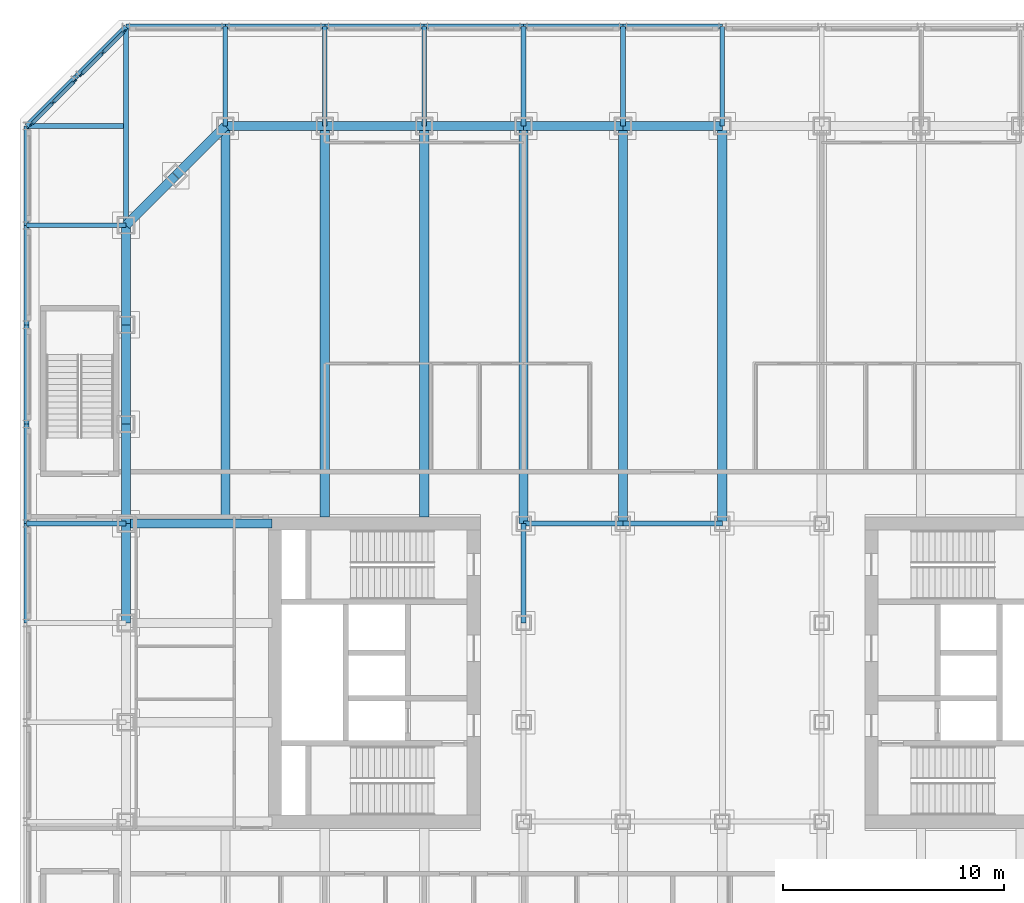
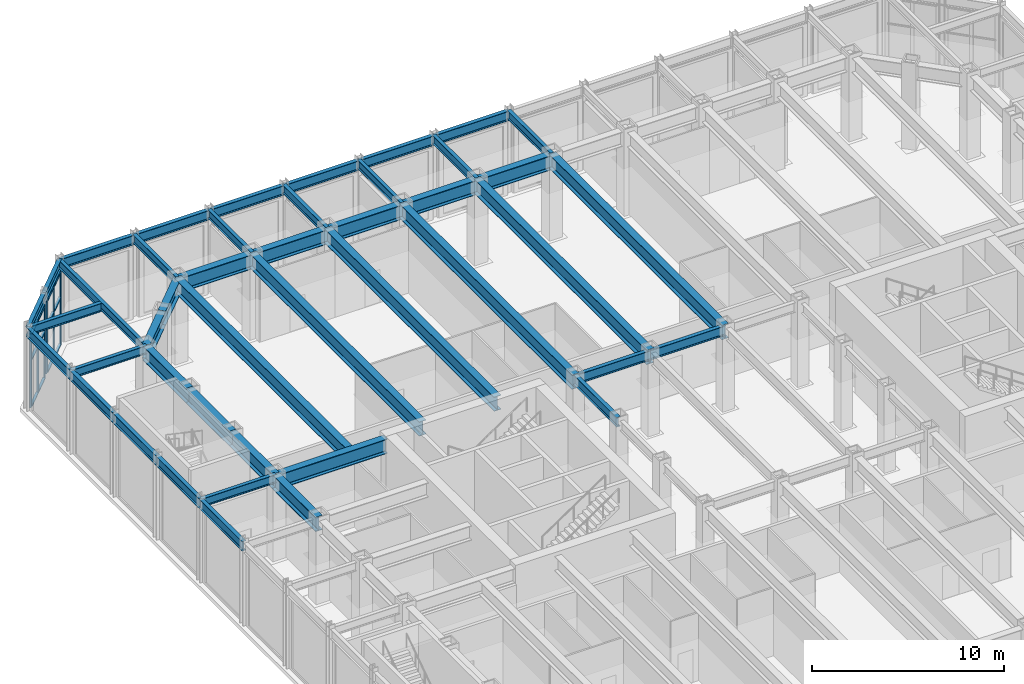
# One storey, part 7 of 19: 44 beams, 18 members, 2 elements without a shape of their own.
"""IFC4 building model written with IfcOpenShell, lengths in metres."""

from ifc_helpers import new_model, si_unit, direction, frame, origin, origin_2d, place, context, subcontext, project, spatial, rectangle, i_section, extrude, material, material_profile, profile_set, type_object, element, aggregate, save


model = new_model("IFC4")

# Units and contexts
model_context = context("Model", 3, precision=1e-05, world=origin(), true_north=direction((0.0, 1.0)))
body_context = subcontext(model_context, "Body", "Model", "MODEL_VIEW")
ifc_project = project(units=[si_unit("LENGTHUNIT", "METRE"), si_unit("AREAUNIT", "SQUARE_METRE"), si_unit("VOLUMEUNIT", "CUBIC_METRE"), si_unit("PLANEANGLEUNIT", "RADIAN"), si_unit("MASSUNIT", "GRAM", prefix="KILO")], contexts=[model_context])

# Site, building, storey
site_placement = place(None, origin())
site = spatial("IfcSite", under=ifc_project, at=site_placement, CompositionType="ELEMENT")
building_placement = place(site_placement, origin())
building = spatial("IfcBuilding", under=site, at=building_placement, Name="Msasa Ring Tower", CompositionType="ELEMENT")
storey_placement = place(building_placement, frame((0.0, 0.0, 16.0)))
storey = spatial("IfcBuildingStorey", under=building, at=storey_placement, Name="L03", CompositionType="ELEMENT", Elevation=16.0)

# Curtain wall, members
ifc_material_1 = material(Name="Aluminium curtain wall with clear glass", Category="aluminium")
curtain_wall_type = type_object("IfcCurtainWallType", Name="CW-K PODIUM CORNER CURTAIN WALL", PredefinedType="NOTDEFINED", material=ifc_material_1)
curtain_wall_1_placement = place(storey_placement, origin())
curtain_wall_1 = element("IfcCurtainWall", 1, at=curtain_wall_1_placement, inside=storey, type_object=curtain_wall_type, Name="Podium corner curtain wall NW L03", PredefinedType="NOTDEFINED")
ifc_material_2 = material(Name="Aluminium mullion", Category="aluminium")
ifc_material_profile_1 = material_profile(ifc_material_2, rectangle(XDim=0.070068359375, YDim=0.199951171875, at=origin_2d()), Name="AL 70x200")
ifc_profile_set_1 = profile_set([ifc_material_profile_1], Name="Aluminium mullion")
member_type_1 = type_object("IfcMemberType", Name="CW-K MULLION 70x200", PredefinedType="MULLION", material=ifc_profile_set_1)
member_1_placement = place(storey_placement, frame((-27.086669921875, 26.77197265625, 0.0), z_axis=(0.0, 0.0, 1.0), x_axis=(0.707106781187, -0.707106781187, 0.0)))
member_1 = element("IfcMember", 2, at=member_1_placement, type_object=member_type_1, Name="CW-K mullion 1", PredefinedType="MULLION", context=body_context, shape_type="SweptSolid", body=[
    extrude(rectangle(XDim=0.070068359375, YDim=0.199951171875, at=origin_2d()), origin(), (0.0, 0.0, 1.0), 4.6328125),
])
member_2_placement = place(storey_placement, frame((-28.05419921875, 25.80419921875, 0.0), z_axis=(0.0, 0.0, 1.0), x_axis=(0.707106781187, -0.707106781187, 0.0)))
member_2 = element("IfcMember", 3, at=member_2_placement, type_object=member_type_1, Name="CW-K mullion 2", PredefinedType="MULLION", context=body_context, shape_type="SweptSolid", body=[
    extrude(rectangle(XDim=0.070068359375, YDim=0.199951171875, at=origin_2d()), origin(), (0.0, 0.0, 1.0), 4.6328125),
])
member_3_placement = place(storey_placement, frame((-29.02197265625, 24.836669921875, 0.0), z_axis=(0.0, 0.0, 1.0), x_axis=(0.707106781187, -0.707106781187, 0.0)))
member_3 = element("IfcMember", 4, at=member_3_placement, type_object=member_type_1, Name="CW-K mullion 3", PredefinedType="MULLION", context=body_context, shape_type="SweptSolid", body=[
    extrude(rectangle(XDim=0.070068359375, YDim=0.199951171875, at=origin_2d()), origin(), (0.0, 0.0, 1.0), 4.6328125),
])

curtain_wall_2_placement = place(storey_placement, origin())
curtain_wall_2 = element("IfcCurtainWall", 5, at=curtain_wall_2_placement, inside=storey, type_object=curtain_wall_type, Name="Podium corner curtain wall NW L03", PredefinedType="NOTDEFINED")
member_4_placement = place(storey_placement, frame((-24.836669921875, 29.02197265625, 0.0), z_axis=(0.0, 0.0, 1.0), x_axis=(0.707106781187, -0.707106781187, 0.0)))
member_4 = element("IfcMember", 6, at=member_4_placement, type_object=member_type_1, Name="CW-K mullion 1", PredefinedType="MULLION", context=body_context, shape_type="SweptSolid", body=[
    extrude(rectangle(XDim=0.070068359375, YDim=0.199951171875, at=origin_2d()), origin(), (0.0, 0.0, 1.0), 4.6328125),
])
member_5_placement = place(storey_placement, frame((-25.80419921875, 28.05419921875, 0.0), z_axis=(0.0, 0.0, 1.0), x_axis=(0.707106781187, -0.707106781187, 0.0)))
member_5 = element("IfcMember", 7, at=member_5_placement, type_object=member_type_1, Name="CW-K mullion 2", PredefinedType="MULLION", context=body_context, shape_type="SweptSolid", body=[
    extrude(rectangle(XDim=0.070068359375, YDim=0.199951171875, at=origin_2d()), origin(), (0.0, 0.0, 1.0), 4.6328125),
])
member_6_placement = place(storey_placement, frame((-26.77197265625, 27.086669921875, 0.0), z_axis=(0.0, 0.0, 1.0), x_axis=(0.707106781187, -0.707106781187, 0.0)))
member_6 = element("IfcMember", 8, at=member_6_placement, type_object=member_type_1, Name="CW-K mullion 3", PredefinedType="MULLION", context=body_context, shape_type="SweptSolid", body=[
    extrude(rectangle(XDim=0.070068359375, YDim=0.199951171875, at=origin_2d()), origin(), (0.0, 0.0, 1.0), 4.6328125),
])

# Member
ifc_material_3 = material(Name="Aluminium transom", Category="aluminium")
ifc_material_profile_2 = material_profile(ifc_material_3, rectangle(XDim=0.14990234375, YDim=0.070068359375, at=origin_2d()), Name="AL 70x150")
ifc_profile_set_2 = profile_set([ifc_material_profile_2], Name="Aluminium transom")
member_type_2 = type_object("IfcMemberType", Name="CW-K TRANSOM 70x150", PredefinedType="USERDEFINED", material=ifc_profile_set_2)
member_7_placement = place(storey_placement, frame((-27.111572265625, 26.7470703125, 0.034912109375), z_axis=(-0.707106781187, -0.707106781187, 0.0), x_axis=(0.707106781187, -0.707106781187, 0.0)))
member_7 = element("IfcMember", 9, at=member_7_placement, type_object=member_type_2, Name="CW-K transom 1.1", ObjectType="TRANSOM", PredefinedType="USERDEFINED", context=body_context, shape_type="SweptSolid", body=[
    extrude(rectangle(XDim=0.14990234375, YDim=0.070068359375, at=origin_2d()), origin(), (0.0, 0.0, 1.0), 1.298095703125),
])

member_8_placement = place(storey_placement, frame((-27.111572265625, 26.7470703125, 3.0), z_axis=(-0.707106781187, -0.707106781187, 0.0), x_axis=(0.707106781187, -0.707106781187, 0.0)))
member_8 = element("IfcMember", 10, at=member_8_placement, type_object=member_type_2, Name="CW-K transom 1.2", ObjectType="TRANSOM", PredefinedType="USERDEFINED", context=body_context, shape_type="SweptSolid", body=[
    extrude(rectangle(XDim=0.14990234375, YDim=0.070068359375, at=origin_2d()), origin(), (0.0, 0.0, 1.0), 1.298095703125),
])

member_9_placement = place(storey_placement, frame((-27.111572265625, 26.7470703125, 4.597900390625), z_axis=(-0.707106781187, -0.707106781187, 0.0), x_axis=(0.707106781187, -0.707106781187, 0.0)))
member_9 = element("IfcMember", 11, at=member_9_placement, type_object=member_type_2, Name="CW-K transom 1.3", ObjectType="TRANSOM", PredefinedType="USERDEFINED", context=body_context, shape_type="SweptSolid", body=[
    extrude(rectangle(XDim=0.14990234375, YDim=0.070068359375, at=origin_2d()), origin(), (0.0, 0.0, 1.0), 1.298095703125),
])

member_10_placement = place(storey_placement, frame((-28.0791015625, 25.779541015625, 0.034912109375), z_axis=(-0.707106781187, -0.707106781187, 0.0), x_axis=(0.707106781187, -0.707106781187, 0.0)))
member_10 = element("IfcMember", 12, at=member_10_placement, type_object=member_type_2, Name="CW-K transom 2.1", ObjectType="TRANSOM", PredefinedType="USERDEFINED", context=body_context, shape_type="SweptSolid", body=[
    extrude(rectangle(XDim=0.14990234375, YDim=0.070068359375, at=origin_2d()), origin(), (0.0, 0.0, 1.0), 1.298095703125),
])

member_11_placement = place(storey_placement, frame((-28.0791015625, 25.779541015625, 3.0), z_axis=(-0.707106781187, -0.707106781187, 0.0), x_axis=(0.707106781187, -0.707106781187, 0.0)))
member_11 = element("IfcMember", 13, at=member_11_placement, type_object=member_type_2, Name="CW-K transom 2.2", ObjectType="TRANSOM", PredefinedType="USERDEFINED", context=body_context, shape_type="SweptSolid", body=[
    extrude(rectangle(XDim=0.14990234375, YDim=0.070068359375, at=origin_2d()), origin(), (0.0, 0.0, 1.0), 1.298095703125),
])

member_12_placement = place(storey_placement, frame((-28.0791015625, 25.779541015625, 4.597900390625), z_axis=(-0.707106781187, -0.707106781187, 0.0), x_axis=(0.707106781187, -0.707106781187, 0.0)))
member_12 = element("IfcMember", 14, at=member_12_placement, type_object=member_type_2, Name="CW-K transom 2.3", ObjectType="TRANSOM", PredefinedType="USERDEFINED", context=body_context, shape_type="SweptSolid", body=[
    extrude(rectangle(XDim=0.14990234375, YDim=0.070068359375, at=origin_2d()), origin(), (0.0, 0.0, 1.0), 1.298095703125),
])

aggregate(curtain_wall_1, [member_1, member_2, member_3, member_7, member_8, member_9, member_10, member_11, member_12])

member_13_placement = place(storey_placement, frame((-24.861572265625, 28.9970703125, 0.034912109375), z_axis=(-0.707106781187, -0.707106781187, 0.0), x_axis=(0.707106781187, -0.707106781187, 0.0)))
member_13 = element("IfcMember", 15, at=member_13_placement, type_object=member_type_2, Name="CW-K transom 1.1", ObjectType="TRANSOM", PredefinedType="USERDEFINED", context=body_context, shape_type="SweptSolid", body=[
    extrude(rectangle(XDim=0.14990234375, YDim=0.070068359375, at=origin_2d()), origin(), (0.0, 0.0, 1.0), 1.298095703125),
])

member_14_placement = place(storey_placement, frame((-24.861572265625, 28.9970703125, 3.0), z_axis=(-0.707106781187, -0.707106781187, 0.0), x_axis=(0.707106781187, -0.707106781187, 0.0)))
member_14 = element("IfcMember", 16, at=member_14_placement, type_object=member_type_2, Name="CW-K transom 1.2", ObjectType="TRANSOM", PredefinedType="USERDEFINED", context=body_context, shape_type="SweptSolid", body=[
    extrude(rectangle(XDim=0.14990234375, YDim=0.070068359375, at=origin_2d()), origin(), (0.0, 0.0, 1.0), 1.298095703125),
])

member_15_placement = place(storey_placement, frame((-24.861572265625, 28.9970703125, 4.597900390625), z_axis=(-0.707106781187, -0.707106781187, 0.0), x_axis=(0.707106781187, -0.707106781187, 0.0)))
member_15 = element("IfcMember", 17, at=member_15_placement, type_object=member_type_2, Name="CW-K transom 1.3", ObjectType="TRANSOM", PredefinedType="USERDEFINED", context=body_context, shape_type="SweptSolid", body=[
    extrude(rectangle(XDim=0.14990234375, YDim=0.070068359375, at=origin_2d()), origin(), (0.0, 0.0, 1.0), 1.298095703125),
])

member_16_placement = place(storey_placement, frame((-25.8291015625, 28.029541015625, 0.034912109375), z_axis=(-0.707106781187, -0.707106781187, 0.0), x_axis=(0.707106781187, -0.707106781187, 0.0)))
member_16 = element("IfcMember", 18, at=member_16_placement, type_object=member_type_2, Name="CW-K transom 2.1", ObjectType="TRANSOM", PredefinedType="USERDEFINED", context=body_context, shape_type="SweptSolid", body=[
    extrude(rectangle(XDim=0.14990234375, YDim=0.070068359375, at=origin_2d()), origin(), (0.0, 0.0, 1.0), 1.298095703125),
])

member_17_placement = place(storey_placement, frame((-25.8291015625, 28.029541015625, 3.0), z_axis=(-0.707106781187, -0.707106781187, 0.0), x_axis=(0.707106781187, -0.707106781187, 0.0)))
member_17 = element("IfcMember", 19, at=member_17_placement, type_object=member_type_2, Name="CW-K transom 2.2", ObjectType="TRANSOM", PredefinedType="USERDEFINED", context=body_context, shape_type="SweptSolid", body=[
    extrude(rectangle(XDim=0.14990234375, YDim=0.070068359375, at=origin_2d()), origin(), (0.0, 0.0, 1.0), 1.298095703125),
])

member_18_placement = place(storey_placement, frame((-25.8291015625, 28.029541015625, 4.597900390625), z_axis=(-0.707106781187, -0.707106781187, 0.0), x_axis=(0.707106781187, -0.707106781187, 0.0)))
member_18 = element("IfcMember", 20, at=member_18_placement, type_object=member_type_2, Name="CW-K transom 2.3", ObjectType="TRANSOM", PredefinedType="USERDEFINED", context=body_context, shape_type="SweptSolid", body=[
    extrude(rectangle(XDim=0.14990234375, YDim=0.070068359375, at=origin_2d()), origin(), (0.0, 0.0, 1.0), 1.298095703125),
])

aggregate(curtain_wall_2, [member_4, member_5, member_6, member_13, member_14, member_15, member_16, member_17, member_18])

# Beams
ifc_material_4 = material(Name="Steel S355", Category="steel")
ifc_material_profile_3 = material_profile(ifc_material_4, i_section(OverallWidth=0.41845703125, OverallDepth=0.911865234375, WebThickness=0.019287109375, FlangeThickness=0.031982421875, FilletRadius=0.024169921875, at=origin_2d()), Name="UB 914x419x343")
ifc_profile_set_3 = profile_set([ifc_material_profile_3], Name="Steel S355")
beam_type_1 = type_object("IfcBeamType", Name="FB1 UB 914x419x343", PredefinedType="BEAM", material=ifc_profile_set_3)
beam_1_placement = place(storey_placement, frame((-20.25, 24.75, 4.794189453125), z_axis=(0.0, -1.0, 0.0), x_axis=(1.0, 0.0, 0.0)))
element("IfcBeam", 21, at=beam_1_placement, inside=storey, type_object=beam_type_1, Name="Floor beam N-20.25 under L04", PredefinedType="BEAM", context=body_context, shape_type="SweptSolid", body=[
    extrude(i_section(OverallWidth=0.41845703125, OverallDepth=0.911865234375, WebThickness=0.019287109375, FlangeThickness=0.031982421875, FilletRadius=0.024169921875, at=origin_2d()), origin(), (0.0, 0.0, 1.0), 17.789794921875),
])
for number, where, z_axis, x_axis, name in (
    (22, (-15.75, 24.75, 4.794189453125), (0.0, -1.0, 0.0), (1.0, 0.0, 0.0), "Floor beam N-15.75 under L04"),
    (23, (-11.25, 24.75, 4.794189453125), (0.0, -1.0, 0.0), (1.0, 0.0, 0.0), "Floor beam N-11.25 under L04"),
):
    element("IfcBeam", number, at=place(storey_placement, frame(where, z_axis=z_axis, x_axis=x_axis)), inside=storey, type_object=beam_type_1, Name=name, PredefinedType="BEAM", context=body_context, shape_type="SweptSolid", body=[
        extrude(i_section(OverallWidth=0.41845703125, OverallDepth=0.911865234375, WebThickness=0.019287109375, FlangeThickness=0.031982421875, FilletRadius=0.024169921875, at=origin_2d()), origin(), (0.0, 0.0, 1.0), 17.699951171875),
    ])
for number, where, z_axis, x_axis, name in (
    (24, (-6.75, 24.75, 4.794189453125), (0.0, -1.0, 0.0), (1.0, 0.0, 0.0), "Floor beam N-6.75 under L04"),
    (25, (-2.25, 24.75, 4.794189453125), (0.0, -1.0, 0.0), (1.0, 0.0, 0.0), "Floor beam N-2.25 under L04"),
    (26, (2.25, 24.75, 4.794189453125), (0.0, -1.0, 0.0), (1.0, 0.0, 0.0), "Floor beam N+2.25 under L04"),
):
    element("IfcBeam", number, at=place(storey_placement, frame(where, z_axis=z_axis, x_axis=x_axis)), inside=storey, type_object=beam_type_1, Name=name, PredefinedType="BEAM", context=body_context, shape_type="SweptSolid", body=[
        extrude(i_section(OverallWidth=0.41845703125, OverallDepth=0.911865234375, WebThickness=0.019287109375, FlangeThickness=0.031982421875, FilletRadius=0.024169921875, at=origin_2d()), origin(), (0.0, 0.0, 1.0), 18.0),
    ])
ifc_material_5 = material(Name="Steel S355", Category="steel")
ifc_material_profile_4 = material_profile(ifc_material_5, i_section(OverallWidth=0.42041015625, OverallDepth=0.9208984375, WebThickness=0.021484375, FlangeThickness=0.03662109375, FilletRadius=0.024169921875, at=origin_2d()), Name="UB 914x419x388")
ifc_profile_set_4 = profile_set([ifc_material_profile_4], Name="Steel S355")
beam_type_2 = type_object("IfcBeamType", Name="GB1 UB 914x419x388", PredefinedType="BEAM", material=ifc_profile_set_4)
beam_2_placement = place(storey_placement, frame((-18.14990234375, 6.75, 4.78955078125), z_axis=(-1.0, 0.0, 0.0), x_axis=(0.0, -1.0, 0.0)))
element("IfcBeam", 27, at=beam_2_placement, inside=storey, type_object=beam_type_2, Name="Girder W +6.75 under L04", PredefinedType="BEAM", context=body_context, shape_type="SweptSolid", body=[
    extrude(i_section(OverallWidth=0.42041015625, OverallDepth=0.9208984375, WebThickness=0.021484375, FlangeThickness=0.03662109375, FilletRadius=0.024169921875, at=origin_2d()), origin(), (0.0, 0.0, 1.0), 6.60009765625),
])
ifc_material_6 = material(Name="Steel S355", Category="steel")
ifc_material_profile_5 = material_profile(ifc_material_6, i_section(OverallWidth=0.2119140625, OverallDepth=0.54443359375, WebThickness=0.0126953125, FlangeThickness=0.021240234375, FilletRadius=0.0126953125, at=origin_2d()), Name="UB 533x210x122")
ifc_profile_set_5 = profile_set([ifc_material_profile_5], Name="Steel S355")
beam_type_3 = type_object("IfcBeamType", Name="PB1 UB 533x210x122", PredefinedType="BEAM", material=ifc_profile_set_5)
beam_3_placement = place(storey_placement, frame((-24.75, 29.25, 4.977783203125), z_axis=(0.0, -1.0, 0.0), x_axis=(1.0, 0.0, 0.0)))
element("IfcBeam", 28, at=beam_3_placement, inside=storey, type_object=beam_type_3, Name="Podium beam N-24.75 under L04", PredefinedType="BEAM", context=body_context, shape_type="SweptSolid", body=[
    extrude(i_section(OverallWidth=0.2119140625, OverallDepth=0.54443359375, WebThickness=0.0126953125, FlangeThickness=0.021240234375, FilletRadius=0.0126953125, at=origin_2d()), origin(), (0.0, 0.0, 1.0), 9.0),
])
for number, where, z_axis, x_axis, name in (
    (29, (-20.25, 29.25, 4.977783203125), (0.0, -1.0, 0.0), (1.0, 0.0, 0.0), "Podium beam N-20.25 under L04"),
    (30, (-15.75, 29.25, 4.977783203125), (0.0, -1.0, 0.0), (1.0, 0.0, 0.0), "Podium beam N-15.75 under L04"),
    (31, (-11.25, 29.25, 4.977783203125), (0.0, -1.0, 0.0), (1.0, 0.0, 0.0), "Podium beam N-11.25 under L04"),
    (32, (-6.75, 29.25, 4.977783203125), (0.0, -1.0, 0.0), (1.0, 0.0, 0.0), "Podium beam N-6.75 under L04"),
    (33, (-2.25, 29.25, 4.977783203125), (0.0, -1.0, 0.0), (1.0, 0.0, 0.0), "Podium beam N-2.25 under L04"),
    (34, (2.25, 29.25, 4.977783203125), (0.0, -1.0, 0.0), (1.0, 0.0, 0.0), "Podium beam N+2.25 under L04"),
    (35, (-29.25, 6.75, 4.977783203125), (1.0, 0.0, 0.0), (0.0, 1.0, 0.0), "Podium beam W+6.75 under L04"),
    (36, (-29.25, 20.25, 4.977783203125), (1.0, 0.0, 0.0), (0.0, 1.0, 0.0), "Podium beam W+20.25 under L04"),
):
    element("IfcBeam", number, at=place(storey_placement, frame(where, z_axis=z_axis, x_axis=x_axis)), inside=storey, type_object=beam_type_3, Name=name, PredefinedType="BEAM", context=body_context, shape_type="SweptSolid", body=[
        extrude(i_section(OverallWidth=0.2119140625, OverallDepth=0.54443359375, WebThickness=0.0126953125, FlangeThickness=0.021240234375, FilletRadius=0.0126953125, at=origin_2d()), origin(), (0.0, 0.0, 1.0), 4.5),
    ])
beam_4_placement = place(storey_placement, frame((-29.25, 24.75, 4.977783203125), z_axis=(1.0, 0.0, 0.0), x_axis=(0.0, 1.0, 0.0)))
element("IfcBeam", 37, at=beam_4_placement, inside=storey, type_object=beam_type_3, Name="Podium beam W+24.75 under L04", PredefinedType="BEAM", context=body_context, shape_type="SweptSolid", body=[
    extrude(i_section(OverallWidth=0.2119140625, OverallDepth=0.54443359375, WebThickness=0.0126953125, FlangeThickness=0.021240234375, FilletRadius=0.0126953125, at=origin_2d()), origin(), (0.0, 0.0, 1.0), 4.39404296875),
])
ifc_material_7 = material(Name="Steel S355", Category="steel")
ifc_material_profile_6 = material_profile(ifc_material_7, i_section(OverallWidth=0.230224609375, OverallDepth=0.6171875, WebThickness=0.01318359375, FlangeThickness=0.022216796875, FilletRadius=0.0126953125, at=origin_2d()), Name="UB 610x229x140")
ifc_profile_set_6 = profile_set([ifc_material_profile_6], Name="Steel S355")
beam_type_4 = type_object("IfcBeamType", Name="RB1 UB 610x229x140", PredefinedType="BEAM", material=ifc_profile_set_6)
for number, where, z_axis, x_axis, name in (
    (38, (2.25, 6.75, 4.94140625), (-1.0, 0.0, 0.0), (0.0, -1.0, 0.0), "Inner ring beam IR+2.25+6.75 under L04"),
    (39, (-2.25, 6.75, 4.94140625), (-1.0, 0.0, 0.0), (0.0, -1.0, 0.0), "Inner ring beam IR-2.25+6.75 under L04"),
    (40, (-6.75, 6.75, 4.94140625), (0.0, -1.0, 0.0), (1.0, 0.0, 0.0), "Inner ring beam IR-6.75+6.75 under L04"),
):
    element("IfcBeam", number, at=place(storey_placement, frame(where, z_axis=z_axis, x_axis=x_axis)), inside=storey, type_object=beam_type_4, Name=name, PredefinedType="BEAM", context=body_context, shape_type="SweptSolid", body=[
        extrude(i_section(OverallWidth=0.230224609375, OverallDepth=0.6171875, WebThickness=0.01318359375, FlangeThickness=0.022216796875, FilletRadius=0.0126953125, at=origin_2d()), origin(), (0.0, 0.0, 1.0), 4.5),
    ])
ifc_material_8 = material(Name="Steel S355", Category="steel")
ifc_material_profile_7 = material_profile(ifc_material_8, i_section(OverallWidth=0.42041015625, OverallDepth=0.9208984375, WebThickness=0.021484375, FlangeThickness=0.03662109375, FilletRadius=0.024169921875, at=origin_2d()), Name="UB 914x419x388")
ifc_profile_set_7 = profile_set([ifc_material_profile_7], Name="Steel S355")
beam_type_5 = type_object("IfcBeamType", Name="SB1 UB 914x419x388", PredefinedType="SPANDREL", material=ifc_profile_set_7)
for number, where, z_axis, x_axis, name in (
    (41, (2.25, 24.75, 4.78955078125), (-1.0, 0.0, 0.0), (0.0, -1.0, 0.0), "Spandrel N+2.25 to N-2.25 under L04"),
    (42, (-2.25, 24.75, 4.78955078125), (-1.0, 0.0, 0.0), (0.0, -1.0, 0.0), "Spandrel N-2.25 to N-6.75 under L04"),
    (43, (-6.75, 24.75, 4.78955078125), (-1.0, 0.0, 0.0), (0.0, -1.0, 0.0), "Spandrel N-6.75 to N-11.25 under L04"),
    (44, (-11.25, 24.75, 4.78955078125), (-1.0, 0.0, 0.0), (0.0, -1.0, 0.0), "Spandrel N-11.25 to N-15.75 under L04"),
    (45, (-15.75, 24.75, 4.78955078125), (-1.0, 0.0, 0.0), (0.0, -1.0, 0.0), "Spandrel N-15.75 to N-20.25 under L04"),
):
    element("IfcBeam", number, at=place(storey_placement, frame(where, z_axis=z_axis, x_axis=x_axis)), inside=storey, type_object=beam_type_5, Name=name, PredefinedType="SPANDREL", context=body_context, shape_type="SweptSolid", body=[
        extrude(i_section(OverallWidth=0.42041015625, OverallDepth=0.9208984375, WebThickness=0.021484375, FlangeThickness=0.03662109375, FilletRadius=0.024169921875, at=origin_2d()), origin(), (0.0, 0.0, 1.0), 4.5),
    ])
for number, where, z_axis, x_axis, name in (
    (46, (-20.25, 24.75, 4.78955078125), (-0.707106781187, -0.707106781187, 0.0), (0.707106781187, -0.707106781187, 0.0), "Spandrel N-20.25 to NW under L04"),
    (47, (-22.5, 22.5, 4.78955078125), (-0.707106781187, -0.707106781187, 0.0), (0.707106781187, -0.707106781187, 0.0), "Spandrel NW to W+20.25 under L04"),
):
    element("IfcBeam", number, at=place(storey_placement, frame(where, z_axis=z_axis, x_axis=x_axis)), inside=storey, type_object=beam_type_5, Name=name, PredefinedType="SPANDREL", context=body_context, shape_type="SweptSolid", body=[
        extrude(i_section(OverallWidth=0.42041015625, OverallDepth=0.9208984375, WebThickness=0.021484375, FlangeThickness=0.03662109375, FilletRadius=0.024169921875, at=origin_2d()), origin(), (0.0, 0.0, 1.0), 3.181884765625),
    ])
for number, where, z_axis, x_axis, name in (
    (48, (-24.75, 20.25, 4.78955078125), (0.0, -1.0, 0.0), (1.0, 0.0, 0.0), "Spandrel W+20.25 to W+15.75 under L04"),
    (49, (-24.75, 15.75, 4.78955078125), (0.0, -1.0, 0.0), (1.0, 0.0, 0.0), "Spandrel W+15.75 to W+11.25 under L04"),
    (50, (-24.75, 11.25, 4.78955078125), (0.0, -1.0, 0.0), (1.0, 0.0, 0.0), "Spandrel W+11.25 to W+6.75 under L04"),
    (51, (-24.75, 6.75, 4.78955078125), (0.0, -1.0, 0.0), (1.0, 0.0, 0.0), "Spandrel W+6.75 to W+2.25 under L04"),
):
    element("IfcBeam", number, at=place(storey_placement, frame(where, z_axis=z_axis, x_axis=x_axis)), inside=storey, type_object=beam_type_5, Name=name, PredefinedType="SPANDREL", context=body_context, shape_type="SweptSolid", body=[
        extrude(i_section(OverallWidth=0.42041015625, OverallDepth=0.9208984375, WebThickness=0.021484375, FlangeThickness=0.03662109375, FilletRadius=0.024169921875, at=origin_2d()), origin(), (0.0, 0.0, 1.0), 4.5),
    ])
ifc_material_9 = material(Name="Steel S355", Category="steel")
ifc_material_profile_8 = material_profile(ifc_material_9, i_section(OverallWidth=0.230224609375, OverallDepth=0.6171875, WebThickness=0.01318359375, FlangeThickness=0.022216796875, FilletRadius=0.0126953125, at=origin_2d()), Name="UB 610x229x140")
ifc_profile_set_8 = profile_set([ifc_material_profile_8], Name="Steel S355")
beam_type_6 = type_object("IfcBeamType", Name="SB2 UB 610x229x140", PredefinedType="SPANDREL", material=ifc_profile_set_8)
for number, where, z_axis, x_axis, name in (
    (52, (2.25, 29.25, 4.94140625), (-1.0, 0.0, 0.0), (0.0, -1.0, 0.0), "Podium spandrel N+2.25 under L04"),
    (53, (-2.25, 29.25, 4.94140625), (-1.0, 0.0, 0.0), (0.0, -1.0, 0.0), "Podium spandrel N-2.25 under L04"),
    (54, (-6.75, 29.25, 4.94140625), (-1.0, 0.0, 0.0), (0.0, -1.0, 0.0), "Podium spandrel N-6.75 under L04"),
    (55, (-11.25, 29.25, 4.94140625), (-1.0, 0.0, 0.0), (0.0, -1.0, 0.0), "Podium spandrel N-11.25 under L04"),
    (56, (-15.75, 29.25, 4.94140625), (-1.0, 0.0, 0.0), (0.0, -1.0, 0.0), "Podium spandrel N-15.75 under L04"),
    (57, (-20.25, 29.25, 4.94140625), (-1.0, 0.0, 0.0), (0.0, -1.0, 0.0), "Podium spandrel N-20.25 under L04"),
):
    element("IfcBeam", number, at=place(storey_placement, frame(where, z_axis=z_axis, x_axis=x_axis)), inside=storey, type_object=beam_type_6, Name=name, PredefinedType="SPANDREL", context=body_context, shape_type="SweptSolid", body=[
        extrude(i_section(OverallWidth=0.230224609375, OverallDepth=0.6171875, WebThickness=0.01318359375, FlangeThickness=0.022216796875, FilletRadius=0.0126953125, at=origin_2d()), origin(), (0.0, 0.0, 1.0), 4.5),
    ])
for number, where, z_axis, x_axis, name in (
    (58, (-24.75, 29.25, 4.94140625), (-0.707106781187, -0.707106781187, 0.0), (0.707106781187, -0.707106781187, 0.0), "Podium spandrel N-24.75 under L04"),
    (59, (-27.0, 27.0, 4.94140625), (-0.707106781187, -0.707106781187, 0.0), (0.707106781187, -0.707106781187, 0.0), "Podium spandrel NW under L04"),
):
    element("IfcBeam", number, at=place(storey_placement, frame(where, z_axis=z_axis, x_axis=x_axis)), inside=storey, type_object=beam_type_6, Name=name, PredefinedType="SPANDREL", context=body_context, shape_type="SweptSolid", body=[
        extrude(i_section(OverallWidth=0.230224609375, OverallDepth=0.6171875, WebThickness=0.01318359375, FlangeThickness=0.022216796875, FilletRadius=0.0126953125, at=origin_2d()), origin(), (0.0, 0.0, 1.0), 3.181884765625),
    ])
for number, where, z_axis, x_axis, name in (
    (60, (-29.25, 24.75, 4.94140625), (0.0, -1.0, 0.0), (1.0, 0.0, 0.0), "Podium spandrel W+24.75 under L04"),
    (61, (-29.25, 20.25, 4.94140625), (0.0, -1.0, 0.0), (1.0, 0.0, 0.0), "Podium spandrel W+20.25 under L04"),
    (62, (-29.25, 15.75, 4.94140625), (0.0, -1.0, 0.0), (1.0, 0.0, 0.0), "Podium spandrel W+15.75 under L04"),
    (63, (-29.25, 11.25, 4.94140625), (0.0, -1.0, 0.0), (1.0, 0.0, 0.0), "Podium spandrel W+11.25 under L04"),
    (64, (-29.25, 6.75, 4.94140625), (0.0, -1.0, 0.0), (1.0, 0.0, 0.0), "Podium spandrel W+6.75 under L04"),
):
    element("IfcBeam", number, at=place(storey_placement, frame(where, z_axis=z_axis, x_axis=x_axis)), inside=storey, type_object=beam_type_6, Name=name, PredefinedType="SPANDREL", context=body_context, shape_type="SweptSolid", body=[
        extrude(i_section(OverallWidth=0.230224609375, OverallDepth=0.6171875, WebThickness=0.01318359375, FlangeThickness=0.022216796875, FilletRadius=0.0126953125, at=origin_2d()), origin(), (0.0, 0.0, 1.0), 4.5),
    ])

save(model, "model.ifc")
